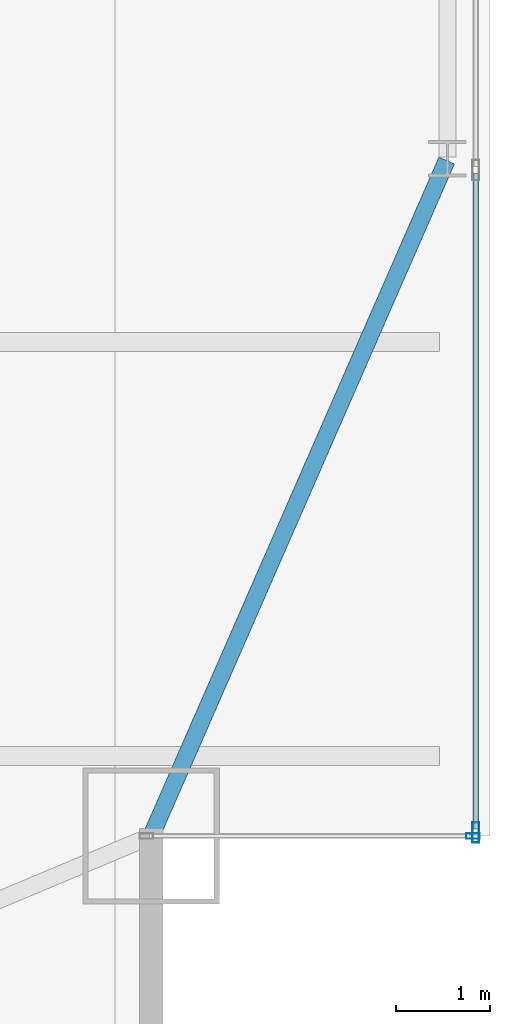
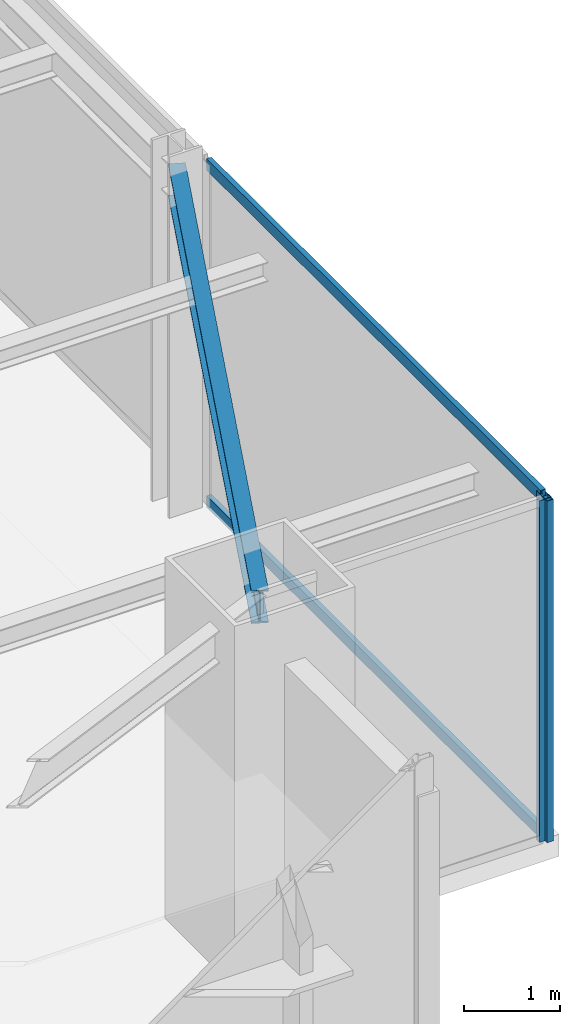
# One storey, part 19 of 32: 4 members, 1 beam, 2 elements without a shape of their own.
"""IFC4 building model written with IfcOpenShell, lengths in metres."""

from ifc_helpers import new_model, si_unit, direction, frame, origin, origin_2d, place, context, subcontext, project, spatial, hollow_rectangle, i_section, extrude, source, transform, mapped, material, layer, layer_set, material_profile, profile_set, type_object, type_shapes, element, aggregate, save


model = new_model("IFC4")

# Units and contexts
model_context = context("Model", 3, precision=1e-05, world=origin(), true_north=direction((0.0, 1.0)))
body_context = subcontext(model_context, "Body", "Model", "MODEL_VIEW")
ifc_project = project(units=[si_unit("LENGTHUNIT", "METRE"), si_unit("AREAUNIT", "SQUARE_METRE"), si_unit("VOLUMEUNIT", "CUBIC_METRE"), si_unit("PLANEANGLEUNIT", "RADIAN"), si_unit("MASSUNIT", "GRAM", prefix="KILO")], contexts=[model_context])

# Site, building, storey
site_placement = place(None, origin())
site = spatial("IfcSite", under=ifc_project, at=site_placement, CompositionType="ELEMENT")
building_placement = place(site_placement, origin())
building = spatial("IfcBuilding", under=site, at=building_placement, Name="Varnel Quay Broadcast Tower", CompositionType="ELEMENT")
storey_placement = place(building_placement, frame((0.0, 0.0, 98.39990234375)))
storey = spatial("IfcBuildingStorey", under=building, at=storey_placement, Name="L23", CompositionType="ELEMENT", Elevation=98.39990234375)

# Beam
ifc_material_1 = material(Name="Structural Steel CSA G40.21 350W", Category="steel")
ifc_material_profile_1 = material_profile(ifc_material_1, i_section(OverallWidth=0.180908203125, OverallDepth=0.4169921875, WebThickness=0.010986328125, FlangeThickness=0.018310546875, FilletRadius=0.011962890625, at=origin_2d()), Name="W410X85")
ifc_profile_set_1 = profile_set([ifc_material_profile_1], Name="Structural Steel CSA G40.21 350W")
beam_type = type_object("IfcBeamType", Name="Beam_W410X85", PredefinedType="SPANDREL", material=ifc_profile_set_1)
shared_shape_1 = source(origin(), body_context, "Body", "SweptSolid", [
    extrude(i_section(OverallWidth=0.180908203125, OverallDepth=0.4169921875, WebThickness=0.010986328125, FlangeThickness=0.018310546875, FilletRadius=0.011962890625, at=origin_2d()), origin(), (0.0, 0.0, 1.0), 7.81884765625),
])
type_shapes(beam_type, [shared_shape_1])
beam_placement = place(storey_placement, frame((59.907958984375, 7.818359375, 4.1416015625), z_axis=(0.400827023998, 0.916153751743, 0.0), x_axis=(-0.916153751743, 0.400827023998, 0.0)))
element("IfcBeam", 1, at=beam_placement, inside=storey, type_object=beam_type, Name="L23 East Spandrel MC-SE-TC-E1", PredefinedType="SPANDREL", context=body_context, shape_type="MappedRepresentation", body=[
    mapped(shared_shape_1, transform((0.0, 0.0, 0.0), x_axis=(1.0, 0.0, 0.0), y_axis=(0.0, 1.0, 0.0), z_axis=(0.0, 0.0, 1.0), scale=1.0)),
])

# Curtain wall, members
ifc_material_2 = material(Name="Anodised Bronze Aluminium 6063-T6", Category="aluminium")
ifc_layer_1 = layer(ifc_material_2, 0.18994140625, Name="Anodised Bronze Aluminium 6063-T6")
ifc_layer_set_1 = layer_set([ifc_layer_1], Name="Anodised Bronze Aluminium 6063-T6")
curtain_wall_type_1 = type_object("IfcCurtainWallType", Name="CW_SkyObsHighVis", PredefinedType="NOTDEFINED", material=ifc_layer_set_1)
curtain_wall_1_placement = place(storey_placement, origin())
curtain_wall_1 = element("IfcCurtainWall", 2, at=curtain_wall_1_placement, inside=storey, type_object=curtain_wall_type_1, Name="L23 East Unitised Curtain Wall", PredefinedType="NOTDEFINED")
ifc_material_profile_2 = material_profile(ifc_material_2, hollow_rectangle(XDim=0.074951171875, YDim=0.219970703125, WallThickness=0.00390625, at=origin_2d()), Name="ALU75X220X4")
ifc_profile_set_2 = profile_set([ifc_material_profile_2], Name="Anodised Bronze Aluminium 6063-T6")
member_type_1 = type_object("IfcMemberType", Name="Mull_CWS-05", PredefinedType="MULLION", material=ifc_profile_set_2)
shared_shape_2 = source(origin(), body_context, "Body", "SweptSolid", [
    extrude(hollow_rectangle(XDim=0.074951171875, YDim=0.219970703125, WallThickness=0.00390625, at=origin_2d()), origin(), (0.0, 0.0, 1.0), 4.35009765625),
])
type_shapes(member_type_1, [shared_shape_2])
member_1_placement = place(storey_placement, frame((63.35009765625, 7.83740234375, 0.0), z_axis=(0.0, 0.0, 1.0), x_axis=(-1.0, 0.0, 0.0)))
member_1 = element("IfcMember", 3, at=member_1_placement, type_object=member_type_1, Name="CWS-05 mullion 1", PredefinedType="MULLION", context=body_context, shape_type="MappedRepresentation", body=[
    mapped(shared_shape_2, transform((0.0, 0.0, 0.0), x_axis=(1.0, 0.0, 0.0), y_axis=(0.0, 1.0, 0.0), z_axis=(0.0, 0.0, 1.0), scale=1.0)),
])
ifc_material_profile_3 = material_profile(ifc_material_2, hollow_rectangle(XDim=0.06005859375, YDim=0.14501953125, WallThickness=0.00341796875, at=origin_2d()), Name="ALU60X145X3.5")
ifc_profile_set_3 = profile_set([ifc_material_profile_3], Name="Anodised Bronze Aluminium 6063-T6")
member_type_2 = type_object("IfcMemberType", Name="Tran_CWS-05", PredefinedType="USERDEFINED", material=ifc_profile_set_3)
shared_shape_3 = source(origin(), body_context, "Body", "SweptSolid", [
    extrude(hollow_rectangle(XDim=0.06005859375, YDim=0.14501953125, WallThickness=0.00341796875, at=origin_2d()), origin(), (0.0, 0.0, 1.0), 6.967529296875),
])
type_shapes(member_type_2, [shared_shape_3])
member_2_placement = place(storey_placement, frame((63.35009765625, 7.875, 0.030029296875), z_axis=(0.0, 1.0, 0.0), x_axis=(-1.0, 0.0, 0.0)))
member_2 = element("IfcMember", 4, at=member_2_placement, type_object=member_type_2, Name="CWS-05 transom 1.1", ObjectType="TRANSOM", PredefinedType="USERDEFINED", context=body_context, shape_type="MappedRepresentation", body=[
    mapped(shared_shape_3, transform((0.0, 0.0, 0.0), x_axis=(1.0, 0.0, 0.0), y_axis=(0.0, 1.0, 0.0), z_axis=(0.0, 0.0, 1.0), scale=1.0)),
])
member_3_placement = place(storey_placement, frame((63.35009765625, 7.875, 4.320068359375), z_axis=(0.0, 1.0, 0.0), x_axis=(-1.0, 0.0, 0.0)))
member_3 = element("IfcMember", 5, at=member_3_placement, type_object=member_type_2, Name="CWS-05 transom 1.2", ObjectType="TRANSOM", PredefinedType="USERDEFINED", context=body_context, shape_type="MappedRepresentation", body=[
    mapped(shared_shape_3, transform((0.0, 0.0, 0.0), x_axis=(1.0, 0.0, 0.0), y_axis=(0.0, 1.0, 0.0), z_axis=(0.0, 0.0, 1.0), scale=1.0)),
])
aggregate(curtain_wall_1, [member_1, member_2, member_3])

# Curtain wall, member
ifc_layer_2 = layer(ifc_material_2, 0.18994140625, Name="Anodised Bronze Aluminium 6063-T6")
ifc_layer_set_2 = layer_set([ifc_layer_2], Name="Anodised Bronze Aluminium 6063-T6")
curtain_wall_type_2 = type_object("IfcCurtainWallType", Name="CW_NotchCorner", PredefinedType="NOTDEFINED", material=ifc_layer_set_2)
curtain_wall_2_placement = place(storey_placement, origin())
curtain_wall_2 = element("IfcCurtainWall", 6, at=curtain_wall_2_placement, inside=storey, type_object=curtain_wall_type_2, Name="L23 SE Notch Curtain Wall", PredefinedType="NOTDEFINED")
ifc_material_profile_4 = material_profile(ifc_material_2, hollow_rectangle(XDim=0.06005859375, YDim=0.14501953125, WallThickness=0.00341796875, at=origin_2d()), Name="ALU60X145X3.5")
ifc_profile_set_4 = profile_set([ifc_material_profile_4], Name="Anodised Bronze Aluminium 6063-T6")
member_type_3 = type_object("IfcMemberType", Name="Mull_CWS-04", PredefinedType="MULLION", material=ifc_profile_set_4)
shared_shape_4 = source(origin(), body_context, "Body", "SweptSolid", [
    extrude(hollow_rectangle(XDim=0.06005859375, YDim=0.14501953125, WallThickness=0.00341796875, at=origin_2d()), origin(), (0.0, 0.0, 1.0), 4.35009765625),
])
type_shapes(member_type_3, [shared_shape_4])
member_4_placement = place(storey_placement, frame((63.320068359375, 7.800048828125, 0.0), z_axis=(0.0, 0.0, 1.0), x_axis=(0.0, 1.0, 0.0)))
member_4 = element("IfcMember", 7, at=member_4_placement, type_object=member_type_3, Name="CWS-04 mullion 2", PredefinedType="MULLION", context=body_context, shape_type="MappedRepresentation", body=[
    mapped(shared_shape_4, transform((0.0, 0.0, 0.0), x_axis=(1.0, 0.0, 0.0), y_axis=(0.0, 1.0, 0.0), z_axis=(0.0, 0.0, 1.0), scale=1.0)),
])
aggregate(curtain_wall_2, [member_4])

save(model, "model.ifc")
